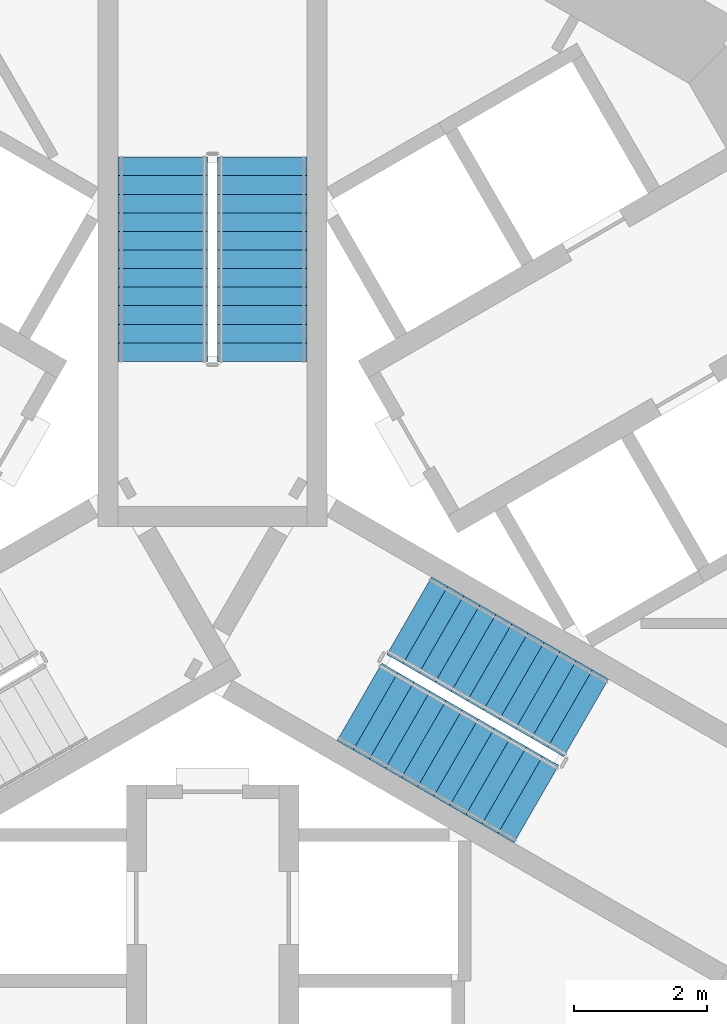
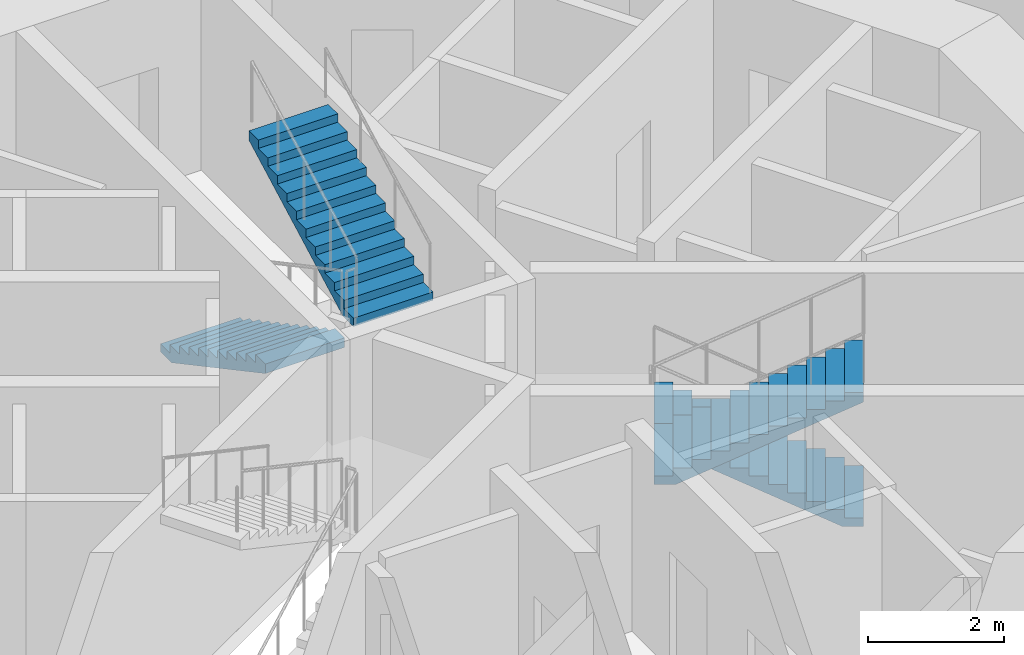
# One storey, part 12 of 20: 4 stair flights, 2 elements without a shape of their own.
"""IFC4 building model written with IfcOpenShell, lengths in metres."""

from ifc_helpers import new_model, si_unit, direction, frame, origin, place, context, subcontext, project, spatial, polyline, outline, extrude, material, type_object, element, aggregate, save


model = new_model("IFC4")

# Units and contexts
model_context = context("Model", 3, precision=1e-05, world=origin(), true_north=direction((0.0, 1.0)))
body_context = subcontext(model_context, "Body", "Model", "MODEL_VIEW")
ifc_project = project(units=[si_unit("LENGTHUNIT", "METRE"), si_unit("AREAUNIT", "SQUARE_METRE"), si_unit("VOLUMEUNIT", "CUBIC_METRE"), si_unit("PLANEANGLEUNIT", "RADIAN"), si_unit("MASSUNIT", "GRAM", prefix="KILO")], contexts=[model_context])

# Site, building, storey
site_placement = place(None, origin())
site = spatial("IfcSite", under=ifc_project, at=site_placement, CompositionType="ELEMENT")
building_placement = place(site_placement, origin())
building = spatial("IfcBuilding", under=site, at=building_placement, Name="Trine Commons Tower", CompositionType="ELEMENT")
storey_placement = place(building_placement, frame((0.0, 0.0, 112.5)))
storey = spatial("IfcBuildingStorey", under=building, at=storey_placement, Name="L28", CompositionType="ELEMENT", Elevation=112.5)

# Stair, stair flights
ifc_material = material(Name="Concrete C50/60", Category="concrete")
stair_type = type_object("IfcStairType", Name="Exit stair, dog-leg, 24 risers of 150 mm", PredefinedType="HALF_TURN_STAIR", material=ifc_material)
stair_1_placement = place(storey_placement, origin())
stair_1 = element("IfcStair", 1, at=stair_1_placement, inside=storey, type_object=stair_type, Name="L28 Exit stair ST1A", PredefinedType="HALF_TURN_STAIR")
stair_flight_type = type_object("IfcStairFlightType", Name="Stair flight, 1350 wide, 12 risers of 150 mm", PredefinedType="STRAIGHT", material=ifc_material)
stair_flight_1_placement = place(storey_placement, frame((79.25, 68.570556640625, 0.0), z_axis=(0.0, 0.0, 1.0), x_axis=(0.0, -1.0, 0.0)))
stair_flight_1 = element("IfcStairFlight", 2, at=stair_flight_1_placement, type_object=stair_flight_type, Name="ST1A flight 1", NumberOfRisers=12, NumberOfTreads=11, PredefinedType="STRAIGHT", RiserHeight=0.15, TreadLength=0.28, context=body_context, shape_type="SweptSolid", body=[
    extrude(outline(polyline([(0.0, 0.0), (0.0, 0.14990234375), (0.280029296875, 0.14990234375), (0.280029296875, 0.300048828125), (0.56005859375, 0.300048828125), (0.56005859375, 0.449951171875), (0.840087890625, 0.449951171875), (0.840087890625, 0.60009765625), (1.1201171875, 0.60009765625), (1.1201171875, 0.75), (1.39990234375, 0.75), (1.39990234375, 0.89990234375), (1.679931640625, 0.89990234375), (1.679931640625, 1.050048828125), (1.9599609375, 1.050048828125), (1.9599609375, 1.199951171875), (2.239990234375, 1.199951171875), (2.239990234375, 1.35009765625), (2.52001953125, 1.35009765625), (2.52001953125, 1.5), (2.800048828125, 1.5), (2.800048828125, 1.64990234375), (3.080078125, 1.64990234375), (3.080078125, 1.800048828125), (3.080078125, 1.47998046875), (0.3173828125, 0.0), (0.0, 0.0)])), frame((0.0, 0.675048828125, 0.0), z_axis=(0.0, -1.0, 0.0), x_axis=(1.0, 0.0, 0.0)), (0.0, 0.0, 1.0), 1.35009765625),
])
stair_flight_2_placement = place(storey_placement, frame((80.75, 65.490478515625, 1.800048828125), z_axis=(0.0, 0.0, 1.0), x_axis=(0.0, 1.0, 0.0)))
stair_flight_2 = element("IfcStairFlight", 3, at=stair_flight_2_placement, type_object=stair_flight_type, Name="ST1A flight 2", NumberOfRisers=12, NumberOfTreads=11, PredefinedType="STRAIGHT", RiserHeight=0.15, TreadLength=0.28, context=body_context, shape_type="SweptSolid", body=[
    extrude(outline(polyline([(0.0, 0.0), (0.0, 0.14990234375), (0.280029296875, 0.14990234375), (0.280029296875, 0.300048828125), (0.56005859375, 0.300048828125), (0.56005859375, 0.449951171875), (0.840087890625, 0.449951171875), (0.840087890625, 0.60009765625), (1.1201171875, 0.60009765625), (1.1201171875, 0.75), (1.39990234375, 0.75), (1.39990234375, 0.89990234375), (1.679931640625, 0.89990234375), (1.679931640625, 1.050048828125), (1.9599609375, 1.050048828125), (1.9599609375, 1.199951171875), (2.239990234375, 1.199951171875), (2.239990234375, 1.35009765625), (2.52001953125, 1.35009765625), (2.52001953125, 1.5), (2.800048828125, 1.5), (2.800048828125, 1.64990234375), (3.080078125, 1.64990234375), (3.080078125, 1.800048828125), (3.080078125, 1.47998046875), (0.3173828125, 0.0), (0.0, 0.0)])), frame((0.0, 0.675048828125, 0.0), z_axis=(0.0, -1.0, 0.0), x_axis=(1.0, 0.0, 0.0)), (0.0, 0.0, 1.0), 1.35009765625),
])
aggregate(stair_1, [stair_flight_1, stair_flight_2])

stair_2_placement = place(storey_placement, origin())
stair_2 = element("IfcStair", 4, at=stair_2_placement, inside=storey, type_object=stair_type, Name="L28 Exit stair ST3A", PredefinedType="HALF_TURN_STAIR")
stair_flight_3_placement = place(storey_placement, frame((85.63232421875, 60.1142578125, 0.0), z_axis=(0.0, 0.0, 1.0), x_axis=(-0.866025403784, 0.5, 0.0)))
stair_flight_3 = element("IfcStairFlight", 5, at=stair_flight_3_placement, type_object=stair_flight_type, Name="ST3A flight 1", NumberOfRisers=12, NumberOfTreads=11, PredefinedType="STRAIGHT", RiserHeight=0.15, TreadLength=0.28, context=body_context, shape_type="SweptSolid", body=[
    extrude(outline(polyline([(0.0, 0.0), (0.0, 0.14990234375), (0.280029296875, 0.14990234375), (0.280029296875, 0.300048828125), (0.56005859375, 0.300048828125), (0.56005859375, 0.449951171875), (0.840087890625, 0.449951171875), (0.840087890625, 0.60009765625), (1.1201171875, 0.60009765625), (1.1201171875, 0.75), (1.39990234375, 0.75), (1.39990234375, 0.89990234375), (1.679931640625, 0.89990234375), (1.679931640625, 1.050048828125), (1.9599609375, 1.050048828125), (1.9599609375, 1.199951171875), (2.239990234375, 1.199951171875), (2.239990234375, 1.35009765625), (2.52001953125, 1.35009765625), (2.52001953125, 1.5), (2.800048828125, 1.5), (2.800048828125, 1.64990234375), (3.080078125, 1.64990234375), (3.080078125, 1.800048828125), (3.080078125, 1.47998046875), (0.3173828125, 0.0), (0.0, 0.0)])), frame((0.0, 0.675048828125, 0.0), z_axis=(0.0, -1.0, 0.0), x_axis=(1.0, 0.0, 0.0)), (0.0, 0.0, 1.0), 1.35009765625),
])
stair_flight_4_placement = place(storey_placement, frame((82.21484375, 60.355224609375, 1.800048828125), z_axis=(0.0, 0.0, 1.0), x_axis=(0.866025403784, -0.5, 0.0)))
stair_flight_4 = element("IfcStairFlight", 6, at=stair_flight_4_placement, type_object=stair_flight_type, Name="ST3A flight 2", NumberOfRisers=12, NumberOfTreads=11, PredefinedType="STRAIGHT", RiserHeight=0.15, TreadLength=0.28, context=body_context, shape_type="SweptSolid", body=[
    extrude(outline(polyline([(0.0, 0.0), (0.0, 0.14990234375), (0.280029296875, 0.14990234375), (0.280029296875, 0.300048828125), (0.56005859375, 0.300048828125), (0.56005859375, 0.449951171875), (0.840087890625, 0.449951171875), (0.840087890625, 0.60009765625), (1.1201171875, 0.60009765625), (1.1201171875, 0.75), (1.39990234375, 0.75), (1.39990234375, 0.89990234375), (1.679931640625, 0.89990234375), (1.679931640625, 1.050048828125), (1.9599609375, 1.050048828125), (1.9599609375, 1.199951171875), (2.239990234375, 1.199951171875), (2.239990234375, 1.35009765625), (2.52001953125, 1.35009765625), (2.52001953125, 1.5), (2.800048828125, 1.5), (2.800048828125, 1.64990234375), (3.080078125, 1.64990234375), (3.080078125, 1.800048828125), (3.080078125, 1.47998046875), (0.3173828125, 0.0), (0.0, 0.0)])), frame((0.0, 0.675048828125, 0.0), z_axis=(0.0, -1.0, 0.0), x_axis=(1.0, 0.0, 0.0)), (0.0, 0.0, 1.0), 1.35009765625),
])
aggregate(stair_2, [stair_flight_3, stair_flight_4])

save(model, "model.ifc")
